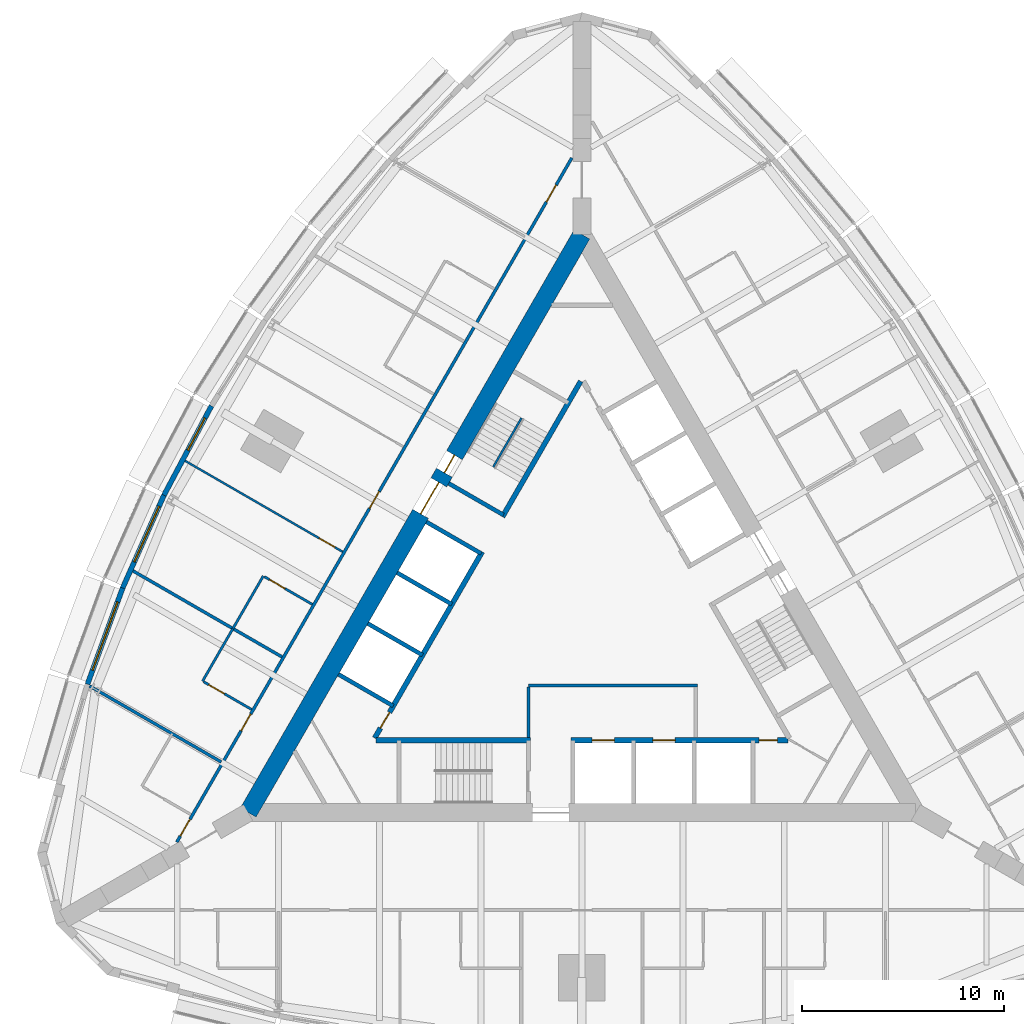
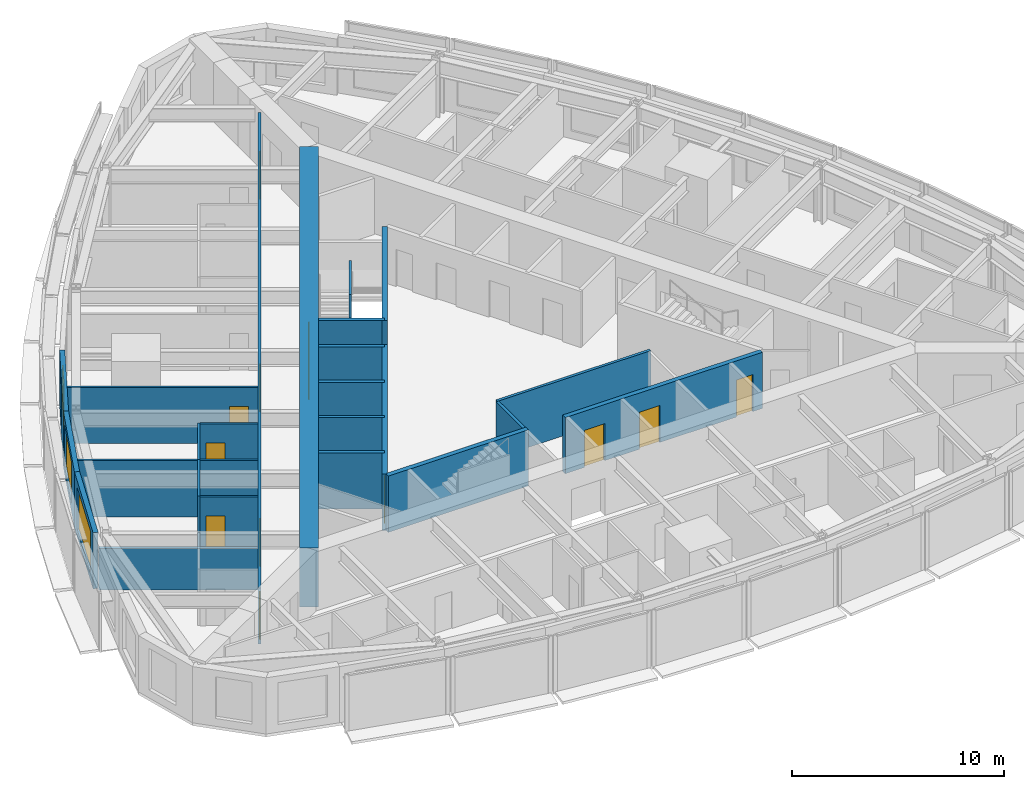
# One storey, part 9 of 14: 24 walls, 13 doors, 3 windows, 16 openings.
"""IFC4 building model written with IfcOpenShell, lengths in metres."""

from ifc_helpers import new_model, si_unit, direction, frame, frame_2d, origin, place, context, subcontext, project, spatial, rectangle, extrude, material, layer, layer_set, type_object, element, fill, save


model = new_model("IFC4")

# Units and contexts
model_context = context("Model", 3, precision=1e-05, world=origin(), true_north=direction((0.0, 1.0)))
body_context = subcontext(model_context, "Body", "Model", "MODEL_VIEW")
ifc_project = project(units=[si_unit("LENGTHUNIT", "METRE"), si_unit("AREAUNIT", "SQUARE_METRE"), si_unit("VOLUMEUNIT", "CUBIC_METRE"), si_unit("PLANEANGLEUNIT", "RADIAN"), si_unit("MASSUNIT", "GRAM", prefix="KILO")], contexts=[model_context])

# Site, building, storey
site_placement = place(None, origin())
site = spatial("IfcSite", under=ifc_project, at=site_placement, CompositionType="ELEMENT")
building_placement = place(site_placement, origin())
building = spatial("IfcBuilding", under=site, at=building_placement, Name="Trikona Tower", CompositionType="ELEMENT")
storey_placement = place(building_placement, frame((0.0, 0.0, 169.10009765625)))
storey = spatial("IfcBuildingStorey", under=building, at=storey_placement, Name="L45", CompositionType="ELEMENT", Elevation=169.10009765625)

# Wall
ifc_material_1 = material(Name="Metal stud and cement board", Category="gypsum")
ifc_layer_1 = layer(ifc_material_1, 0.1201171875)
ifc_layer_set_1 = layer_set([ifc_layer_1], Name="Bathroom wall 120")
wall_type_1 = type_object("IfcWallType", Name="Bathroom wall 120", PredefinedType="PLUMBINGWALL", material=ifc_layer_set_1)
wall_1_placement = place(storey_placement, frame((-15.75341796875, 2.1669921875, 0.0), z_axis=(0.0, 0.0, 1.0), x_axis=(-0.499990139034, -0.866031096941, 0.0)))
element("IfcWall", 1, at=wall_1_placement, inside=storey, type_object=wall_type_1, Name="Bathroom wall 4511.2", PredefinedType="PLUMBINGWALL", context=body_context, shape_type="SweptSolid", body=[
    extrude(rectangle(XDim=3.0, YDim=0.1201171875, at=frame_2d((1.5, 0.0))), origin(), (0.0, 0.0, 1.0), 3.23486328125),
])

# Wall, opening, door
wall_2_placement = place(storey_placement, frame((-13.32861328125, 0.76708984375, 0.0), z_axis=(0.0, 0.0, 1.0), x_axis=(-0.866035715982, 0.499982138324, 0.0)))
wall_2 = element("IfcWall", 2, at=wall_2_placement, inside=storey, type_object=wall_type_1, Name="Bathroom wall 4511.2", PredefinedType="PLUMBINGWALL", context=body_context, shape_type="SweptSolid", body=[
    extrude(rectangle(XDim=2.73974609375, YDim=0.1201171875, at=frame_2d((1.369873046875, 0.0))), origin(), (0.0, 0.0, 1.0), 3.23486328125),
])
opening_1_placement = place(wall_2_placement, frame((1.550048828125, 0.0, 0.0)))
opening_1 = element("IfcOpeningElement", 3, at=opening_1_placement, cuts=wall_2, Name="Opening D2", PredefinedType="OPENING", context=body_context, shape_type="SweptSolid", body=[
    extrude(rectangle(XDim=0.89990234375, YDim=2.1298828125, at=frame_2d((0.449951171875, 1.06494140625))), frame((0.0, 0.070068359375, 0.0), z_axis=(0.0, -1.0, 0.0), x_axis=(1.0, 0.0, 0.0)), (0.0, 0.0, 1.0), 0.14013671875),
])
ifc_material_2 = material(Name="Steel door frame with solid-core timber leaf", Category="steel")
door_type_1 = type_object("IfcDoorType", Name="Bathroom door 900x2130", OperationType="SLIDING_TO_LEFT", PredefinedType="DOOR", material=ifc_material_2)
door_1_placement = place(opening_1_placement, origin())
door_1 = element("IfcDoor", 4, at=door_1_placement, inside=storey, type_object=door_type_1, Name="Bathroom door 4511.2", OperationType="SLIDING_TO_LEFT", OverallHeight=2.1298828125, OverallWidth=0.89990234375, PredefinedType="DOOR", context=body_context, shape_type="SweptSolid", body=[
    extrude(rectangle(XDim=0.89990234375, YDim=2.1298828125, at=frame_2d((0.449951171875, 1.06494140625))), frame((0.0, 0.02490234375, 0.0), z_axis=(0.0, -1.0, 0.0), x_axis=(1.0, 0.0, 0.0)), (0.0, 0.0, 1.0), 0.050048828125),
])
fill(opening_1, door_1)

# Wall
wall_3_placement = place(storey_placement, frame((-17.25341796875, -0.43115234375, 0.0), z_axis=(0.0, 0.0, 1.0), x_axis=(-0.499990139034, -0.866031096941, 0.0)))
element("IfcWall", 5, at=wall_3_placement, inside=storey, type_object=wall_type_1, Name="Bathroom wall 4512", PredefinedType="PLUMBINGWALL", context=body_context, shape_type="SweptSolid", body=[
    extrude(rectangle(XDim=3.0, YDim=0.1201171875, at=frame_2d((1.5, 0.0))), origin(), (0.0, 0.0, 1.0), 3.23486328125),
])

# Wall, opening, door
wall_4_placement = place(storey_placement, frame((-16.32861328125, -4.42919921875, 0.0), z_axis=(0.0, 0.0, 1.0), x_axis=(-0.865997131366, 0.500048966069, 0.0)))
wall_4 = element("IfcWall", 6, at=wall_4_placement, inside=storey, type_object=wall_type_1, Name="Bathroom wall 4512", PredefinedType="PLUMBINGWALL", context=body_context, shape_type="SweptSolid", body=[
    extrude(rectangle(XDim=2.739990234375, YDim=0.1201171875, at=frame_2d((1.3701171875, 0.0))), origin(), (0.0, 0.0, 1.0), 3.23486328125),
])
opening_2_placement = place(wall_4_placement, frame((1.550048828125, 0.0, 0.0)))
opening_2 = element("IfcOpeningElement", 7, at=opening_2_placement, cuts=wall_4, Name="Opening D2", PredefinedType="OPENING", context=body_context, shape_type="SweptSolid", body=[
    extrude(rectangle(XDim=0.89990234375, YDim=2.1298828125, at=frame_2d((0.449951171875, 1.06494140625))), frame((0.0, 0.070068359375, 0.0), z_axis=(0.0, -1.0, 0.0), x_axis=(1.0, 0.0, 0.0)), (0.0, 0.0, 1.0), 0.14013671875),
])
door_2_placement = place(opening_2_placement, origin())
door_2 = element("IfcDoor", 8, at=door_2_placement, inside=storey, type_object=door_type_1, Name="Bathroom door 4512", OperationType="SLIDING_TO_LEFT", OverallHeight=2.1298828125, OverallWidth=0.89990234375, PredefinedType="DOOR", context=body_context, shape_type="SweptSolid", body=[
    extrude(rectangle(XDim=0.89990234375, YDim=2.1298828125, at=frame_2d((0.449951171875, 1.06494140625))), frame((0.0, 0.02490234375, 0.0), z_axis=(0.0, -1.0, 0.0), x_axis=(1.0, 0.0, 0.0)), (0.0, 0.0, 1.0), 0.050048828125),
])
fill(opening_2, door_2)

# Wall, openings, doors
ifc_material_3 = material(Name="Concrete f'c 10000 psi", Category="concrete")
ifc_layer_2 = layer(ifc_material_3, 0.89990234375)
ifc_layer_set_2 = layer_set([ifc_layer_2], Name="Core wall 900")
wall_type_2 = type_object("IfcWallType", Name="Core wall 900", PredefinedType="SHEAR", material=ifc_layer_set_2)
wall_5_placement = place(storey_placement, frame((0.0, 19.052490234375, 0.0), z_axis=(0.0, 0.0, 1.0), x_axis=(-0.499999749417, -0.866025548458, 0.0)))
wall_5 = element("IfcWall", 9, at=wall_5_placement, inside=storey, type_object=wall_type_2, Name="Core wall C", PredefinedType="SHEAR", context=body_context, shape_type="SweptSolid", body=[
    extrude(rectangle(XDim=33.0, YDim=0.89990234375, at=frame_2d((16.5, 0.0))), origin(), (0.0, 0.0, 1.0), 3.39990234375),
])
opening_3_placement = place(wall_5_placement, frame((14.14990234375, 0.0, 0.0)))
opening_3 = element("IfcOpeningElement", 10, at=opening_3_placement, cuts=wall_5, Name="Opening D6", PredefinedType="OPENING", context=body_context, shape_type="SweptSolid", body=[
    extrude(rectangle(XDim=1.800048828125, YDim=2.1298828125, at=frame_2d((0.89990234375, 1.06494140625))), frame((0.0, 0.4599609375, 0.0), z_axis=(0.0, -1.0, 0.0), x_axis=(1.0, 0.0, 0.0)), (0.0, 0.0, 1.0), 0.919921875),
])
opening_4_placement = place(wall_5_placement, frame((12.60009765625, 0.0, 0.0)))
opening_4 = element("IfcOpeningElement", 11, at=opening_4_placement, cuts=wall_5, Name="Opening D5", PredefinedType="OPENING", context=body_context, shape_type="SweptSolid", body=[
    extrude(rectangle(XDim=1.0, YDim=2.1298828125, at=frame_2d((0.5, 1.06494140625))), frame((0.0, 0.4599609375, 0.0), z_axis=(0.0, -1.0, 0.0), x_axis=(1.0, 0.0, 0.0)), (0.0, 0.0, 1.0), 0.919921875),
])
ifc_material_4 = material(Name="Hollow metal door and frame", Category="steel")
door_type_2 = type_object("IfcDoorType", Name="Lobby door pair 1800x2130", OperationType="DOUBLE_DOOR_SINGLE_SWING", PredefinedType="DOOR", material=ifc_material_4)
door_3_placement = place(opening_3_placement, origin())
door_3 = element("IfcDoor", 12, at=door_3_placement, inside=storey, type_object=door_type_2, Name="Lift lobby door C", OperationType="DOUBLE_DOOR_SINGLE_SWING", OverallHeight=2.1298828125, OverallWidth=1.800048828125, PredefinedType="DOOR", context=body_context, shape_type="SweptSolid", body=[
    extrude(rectangle(XDim=1.800048828125, YDim=2.1298828125, at=frame_2d((0.89990234375, 1.06494140625))), frame((0.0, 0.02490234375, 0.0), z_axis=(0.0, -1.0, 0.0), x_axis=(1.0, 0.0, 0.0)), (0.0, 0.0, 1.0), 0.050048828125),
])
fill(opening_3, door_3)
ifc_material_5 = material(Name="Hollow metal door and frame", Category="steel")
door_type_3 = type_object("IfcDoorType", Name="Stair door 1000x2130", OperationType="SINGLE_SWING_LEFT", PredefinedType="DOOR", material=ifc_material_5)
door_4_placement = place(opening_4_placement, origin())
door_4 = element("IfcDoor", 13, at=door_4_placement, inside=storey, type_object=door_type_3, Name="Stair C door", OperationType="SINGLE_SWING_RIGHT", OverallHeight=2.1298828125, OverallWidth=1.0, PredefinedType="DOOR", context=body_context, shape_type="SweptSolid", body=[
    extrude(rectangle(XDim=1.0, YDim=2.1298828125, at=frame_2d((0.5, 1.06494140625))), frame((0.0, 0.02490234375, 0.0), z_axis=(0.0, -1.0, 0.0), x_axis=(1.0, 0.0, 0.0)), (0.0, 0.0, 1.0), 0.050048828125),
])
fill(opening_4, door_4)

ifc_material_6 = material(Name="Metal stud and gypsum board, 1-hour", Category="gypsum")
ifc_layer_3 = layer(ifc_material_6, 0.14990234375)
ifc_layer_set_3 = layer_set([ifc_layer_3], Name="Corridor wall 150")
wall_type_3 = type_object("IfcWallType", Name="Corridor wall 150", PredefinedType="PARTITIONING", material=ifc_layer_set_3)
wall_6_placement = place(storey_placement, frame((-0.5, 22.83642578125, 0.0), z_axis=(0.0, 0.0, 1.0), x_axis=(-0.500001677587, -0.866024435227, 0.0)))
wall_6 = element("IfcWall", 14, at=wall_6_placement, inside=storey, type_object=wall_type_3, Name="Corridor wall L45-3", PredefinedType="PARTITIONING", context=body_context, shape_type="SweptSolid", body=[
    extrude(rectangle(XDim=39.053955078125, YDim=0.14990234375, at=frame_2d((19.52685546875, 0.0))), origin(), (0.0, 0.0, 1.0), 3.23486328125),
])
opening_5_placement = place(wall_6_placement, frame((1.558349609375, 0.0, 0.0)))
opening_5 = element("IfcOpeningElement", 15, at=opening_5_placement, cuts=wall_6, Name="Opening D1", PredefinedType="OPENING", context=body_context, shape_type="SweptSolid", body=[
    extrude(rectangle(XDim=0.949951171875, YDim=2.1298828125, at=frame_2d((0.47509765625, 1.06494140625))), frame((0.0, 0.0849609375, 0.0), z_axis=(0.0, -1.0, 0.0), x_axis=(1.0, 0.0, 0.0)), (0.0, 0.0, 1.0), 0.169921875),
])
opening_6_placement = place(wall_6_placement, frame((19.052001953125, 0.0, 0.0)))
opening_6 = element("IfcOpeningElement", 16, at=opening_6_placement, cuts=wall_6, Name="Opening D1", PredefinedType="OPENING", context=body_context, shape_type="SweptSolid", body=[
    extrude(rectangle(XDim=0.949951171875, YDim=2.1298828125, at=frame_2d((0.47509765625, 1.06494140625))), frame((0.0, 0.0849609375, 0.0), z_axis=(0.0, -1.0, 0.0), x_axis=(1.0, 0.0, 0.0)), (0.0, 0.0, 1.0), 0.169921875),
])
opening_7_placement = place(wall_6_placement, frame((31.751953125, 0.0, 0.0)))
opening_7 = element("IfcOpeningElement", 17, at=opening_7_placement, cuts=wall_6, Name="Opening D1", PredefinedType="OPENING", context=body_context, shape_type="SweptSolid", body=[
    extrude(rectangle(XDim=0.949951171875, YDim=2.1298828125, at=frame_2d((0.47509765625, 1.06494140625))), frame((0.0, 0.0849609375, 0.0), z_axis=(0.0, -1.0, 0.0), x_axis=(1.0, 0.0, 0.0)), (0.0, 0.0, 1.0), 0.169921875),
])
opening_8_placement = place(wall_6_placement, frame((37.751953125, 0.0, 0.0)))
opening_8 = element("IfcOpeningElement", 18, at=opening_8_placement, cuts=wall_6, Name="Opening D1", PredefinedType="OPENING", context=body_context, shape_type="SweptSolid", body=[
    extrude(rectangle(XDim=0.949951171875, YDim=2.1298828125, at=frame_2d((0.47509765625, 1.06494140625))), frame((0.0, 0.0849609375, 0.0), z_axis=(0.0, -1.0, 0.0), x_axis=(1.0, 0.0, 0.0)), (0.0, 0.0, 1.0), 0.169921875),
])
ifc_material_7 = material(Name="Steel door frame with solid-core timber leaf", Category="steel")
door_type_4 = type_object("IfcDoorType", Name="Guest room door 950x2130", OperationType="SINGLE_SWING_LEFT", PredefinedType="DOOR", material=ifc_material_7)
door_5_placement = place(opening_5_placement, origin())
door_5 = element("IfcDoor", 19, at=door_5_placement, inside=storey, type_object=door_type_4, Name="Room door 4510", OperationType="SINGLE_SWING_LEFT", OverallHeight=2.1298828125, OverallWidth=0.949951171875, PredefinedType="DOOR", context=body_context, shape_type="SweptSolid", body=[
    extrude(rectangle(XDim=0.949951171875, YDim=2.1298828125, at=frame_2d((0.47509765625, 1.06494140625))), frame((0.0, 0.02490234375, 0.0), z_axis=(0.0, -1.0, 0.0), x_axis=(1.0, 0.0, 0.0)), (0.0, 0.0, 1.0), 0.050048828125),
])
fill(opening_5, door_5)
door_6_placement = place(opening_6_placement, origin())
door_6 = element("IfcDoor", 20, at=door_6_placement, inside=storey, type_object=door_type_4, Name="Room door 4511", OperationType="SINGLE_SWING_RIGHT", OverallHeight=2.1298828125, OverallWidth=0.949951171875, PredefinedType="DOOR", context=body_context, shape_type="SweptSolid", body=[
    extrude(rectangle(XDim=0.949951171875, YDim=2.1298828125, at=frame_2d((0.47509765625, 1.06494140625))), frame((0.0, 0.02490234375, 0.0), z_axis=(0.0, -1.0, 0.0), x_axis=(1.0, 0.0, 0.0)), (0.0, 0.0, 1.0), 0.050048828125),
])
fill(opening_6, door_6)
door_7_placement = place(opening_7_placement, origin())
door_7 = element("IfcDoor", 21, at=door_7_placement, inside=storey, type_object=door_type_4, Name="Room door 4512", OperationType="SINGLE_SWING_LEFT", OverallHeight=2.1298828125, OverallWidth=0.949951171875, PredefinedType="DOOR", context=body_context, shape_type="SweptSolid", body=[
    extrude(rectangle(XDim=0.949951171875, YDim=2.1298828125, at=frame_2d((0.47509765625, 1.06494140625))), frame((0.0, 0.02490234375, 0.0), z_axis=(0.0, -1.0, 0.0), x_axis=(1.0, 0.0, 0.0)), (0.0, 0.0, 1.0), 0.050048828125),
])
fill(opening_7, door_7)
door_8_placement = place(opening_8_placement, origin())
door_8 = element("IfcDoor", 22, at=door_8_placement, inside=storey, type_object=door_type_4, Name="Room door 4513", OperationType="SINGLE_SWING_RIGHT", OverallHeight=2.1298828125, OverallWidth=0.949951171875, PredefinedType="DOOR", context=body_context, shape_type="SweptSolid", body=[
    extrude(rectangle(XDim=0.949951171875, YDim=2.1298828125, at=frame_2d((0.47509765625, 1.06494140625))), frame((0.0, 0.02490234375, 0.0), z_axis=(0.0, -1.0, 0.0), x_axis=(1.0, 0.0, 0.0)), (0.0, 0.0, 1.0), 0.050048828125),
])
fill(opening_8, door_8)

# Wall
ifc_material_8 = material(Name="Concrete f'c 8000 psi", Category="concrete")
ifc_layer_4 = layer(ifc_material_8, 0.25)
ifc_layer_set_4 = layer_set([ifc_layer_4], Name="Hub wall 250")
wall_type_4 = type_object("IfcWallType", Name="Hub wall 250", PredefinedType="SOLIDWALL", material=ifc_layer_set_4)
wall_7_placement = place(storey_placement, frame((-10.182861328125, -5.951416015625, 0.0), z_axis=(0.0, 0.0, 1.0), x_axis=(1.0, 0.0, 0.0)))
element("IfcWall", 23, at=wall_7_placement, inside=storey, type_object=wall_type_4, Name="Lift lobby wall A1", PredefinedType="SOLIDWALL", context=body_context, shape_type="SweptSolid", body=[
    extrude(rectangle(XDim=7.6328125, YDim=0.25, at=frame_2d((3.81640625, 0.0))), origin(), (0.0, 0.0, 1.0), 3.23486328125),
])

# Wall, openings, doors
wall_8_placement = place(storey_placement, frame((-0.550048828125, -5.951416015625, 0.0), z_axis=(0.0, 0.0, 1.0), x_axis=(1.0, 0.0, 0.0)))
wall_8 = element("IfcWall", 24, at=wall_8_placement, inside=storey, type_object=wall_type_4, Name="Lift lobby wall A2", PredefinedType="SOLIDWALL", context=body_context, shape_type="SweptSolid", body=[
    extrude(rectangle(XDim=10.73291015625, YDim=0.25, at=frame_2d((5.366455078125, 0.0))), origin(), (0.0, 0.0, 1.0), 3.23486328125),
])
opening_9_placement = place(wall_8_placement, frame((9.31396484375, 0.0, 0.0)))
opening_9 = element("IfcOpeningElement", 25, at=opening_9_placement, cuts=wall_8, Name="Opening D14", PredefinedType="OPENING", context=body_context, shape_type="SweptSolid", body=[
    extrude(rectangle(XDim=0.89990234375, YDim=2.1298828125, at=frame_2d((0.449951171875, 1.06494140625))), frame((0.0, 0.135009765625, 0.0), z_axis=(0.0, -1.0, 0.0), x_axis=(1.0, 0.0, 0.0)), (0.0, 0.0, 1.0), 0.27001953125),
])
opening_10_placement = place(wall_8_placement, frame((1.050048828125, 0.0, 0.0)))
opening_10 = element("IfcOpeningElement", 26, at=opening_10_placement, cuts=wall_8, Name="Opening LD", PredefinedType="OPENING", context=body_context, shape_type="SweptSolid", body=[
    extrude(rectangle(XDim=1.10009765625, YDim=2.1298828125, at=frame_2d((0.550048828125, 1.06494140625))), frame((0.0, 0.135009765625, 0.0), z_axis=(0.0, -1.0, 0.0), x_axis=(1.0, 0.0, 0.0)), (0.0, 0.0, 1.0), 0.27001953125),
])
opening_11_placement = place(wall_8_placement, frame((4.050048828125, 0.0, 0.0)))
opening_11 = element("IfcOpeningElement", 27, at=opening_11_placement, cuts=wall_8, Name="Opening LD", PredefinedType="OPENING", context=body_context, shape_type="SweptSolid", body=[
    extrude(rectangle(XDim=1.10009765625, YDim=2.1298828125, at=frame_2d((0.550048828125, 1.06494140625))), frame((0.0, 0.135009765625, 0.0), z_axis=(0.0, -1.0, 0.0), x_axis=(1.0, 0.0, 0.0)), (0.0, 0.0, 1.0), 0.27001953125),
])
ifc_material_9 = material(Name="Stainless steel lift landing door", Category="steel")
door_type_5 = type_object("IfcDoorType", Name="Lift landing door 1100x2130", OperationType="DOUBLE_DOOR_SLIDING", PredefinedType="USERDEFINED", material=ifc_material_9)
door_9_placement = place(opening_10_placement, origin())
door_9 = element("IfcDoor", 28, at=door_9_placement, inside=storey, type_object=door_type_5, Name="Lift landing door FF1", ObjectType="LIFT LANDING DOOR", OperationType="DOUBLE_DOOR_SLIDING", OverallHeight=2.1298828125, OverallWidth=1.10009765625, PredefinedType="USERDEFINED", context=body_context, shape_type="SweptSolid", body=[
    extrude(rectangle(XDim=1.10009765625, YDim=2.1298828125, at=frame_2d((0.550048828125, 1.06494140625))), frame((0.0, 0.02490234375, 0.0), z_axis=(0.0, -1.0, 0.0), x_axis=(1.0, 0.0, 0.0)), (0.0, 0.0, 1.0), 0.050048828125),
])
fill(opening_10, door_9)
door_10_placement = place(opening_11_placement, origin())
door_10 = element("IfcDoor", 29, at=door_10_placement, inside=storey, type_object=door_type_5, Name="Lift landing door FF2", ObjectType="LIFT LANDING DOOR", OperationType="DOUBLE_DOOR_SLIDING", OverallHeight=2.1298828125, OverallWidth=1.10009765625, PredefinedType="USERDEFINED", context=body_context, shape_type="SweptSolid", body=[
    extrude(rectangle(XDim=1.10009765625, YDim=2.1298828125, at=frame_2d((0.550048828125, 1.06494140625))), frame((0.0, 0.02490234375, 0.0), z_axis=(0.0, -1.0, 0.0), x_axis=(1.0, 0.0, 0.0)), (0.0, 0.0, 1.0), 0.050048828125),
])
fill(opening_11, door_10)
ifc_material_10 = material(Name="Hollow metal door and frame", Category="steel")
door_type_6 = type_object("IfcDoorType", Name="Service room door 900x2130", OperationType="SINGLE_SWING_LEFT", PredefinedType="DOOR", material=ifc_material_10)
door_11_placement = place(opening_9_placement, origin())
door_11 = element("IfcDoor", 30, at=door_11_placement, inside=storey, type_object=door_type_6, Name="Door Housekeeping store HKS", OperationType="SINGLE_SWING_RIGHT", OverallHeight=2.1298828125, OverallWidth=0.89990234375, PredefinedType="DOOR", context=body_context, shape_type="SweptSolid", body=[
    extrude(rectangle(XDim=0.89990234375, YDim=2.1298828125, at=frame_2d((0.449951171875, 1.06494140625))), frame((0.0, 0.02490234375, 0.0), z_axis=(0.0, -1.0, 0.0), x_axis=(1.0, 0.0, 0.0)), (0.0, 0.0, 1.0), 0.050048828125),
])
fill(opening_9, door_11)

# Wall
wall_9_placement = place(storey_placement, frame((-0.0625, 11.794189453125, 0.0), z_axis=(0.0, 0.0, 1.0), x_axis=(-0.500006680225, -0.86602154692, 0.0)))
element("IfcWall", 31, at=wall_9_placement, inside=storey, type_object=wall_type_4, Name="Lift lobby wall C1", PredefinedType="SOLIDWALL", context=body_context, shape_type="SweptSolid", body=[
    extrude(rectangle(XDim=7.73291015625, YDim=0.25, at=frame_2d((3.866455078125, 0.0))), origin(), (0.0, 0.0, 1.0), 3.23486328125),
])

# Wall, opening, door
wall_10_placement = place(storey_placement, frame((-4.928955078125, 3.365478515625, 0.0), z_axis=(0.0, 0.0, 1.0), x_axis=(-0.499991433582, -0.866030349552, 0.0)))
wall_10 = element("IfcWall", 32, at=wall_10_placement, inside=storey, type_object=wall_type_4, Name="Lift lobby wall C2", PredefinedType="SOLIDWALL", context=body_context, shape_type="SweptSolid", body=[
    extrude(rectangle(XDim=10.633056640625, YDim=0.25, at=frame_2d((5.31640625, 0.0))), origin(), (0.0, 0.0, 1.0), 3.23486328125),
])
opening_12_placement = place(wall_10_placement, frame((9.1640625, 0.0, 0.0)))
opening_12 = element("IfcOpeningElement", 33, at=opening_12_placement, cuts=wall_10, Name="Opening D14", PredefinedType="OPENING", context=body_context, shape_type="SweptSolid", body=[
    extrude(rectangle(XDim=0.89990234375, YDim=2.1298828125, at=frame_2d((0.449951171875, 1.06494140625))), frame((0.0, 0.135009765625, 0.0), z_axis=(0.0, -1.0, 0.0), x_axis=(1.0, 0.0, 0.0)), (0.0, 0.0, 1.0), 0.27001953125),
])
door_12_placement = place(opening_12_placement, origin())
door_12 = element("IfcDoor", 34, at=door_12_placement, inside=storey, type_object=door_type_6, Name="Door Linen store LIN", OperationType="SINGLE_SWING_RIGHT", OverallHeight=2.1298828125, OverallWidth=0.89990234375, PredefinedType="DOOR", context=body_context, shape_type="SweptSolid", body=[
    extrude(rectangle(XDim=0.89990234375, YDim=2.1298828125, at=frame_2d((0.449951171875, 1.06494140625))), frame((0.0, 0.02490234375, 0.0), z_axis=(0.0, -1.0, 0.0), x_axis=(1.0, 0.0, 0.0)), (0.0, 0.0, 1.0), 0.050048828125),
])
fill(opening_12, door_12)

# Wall, opening, window
ifc_material_11 = material(Name="Insulated precast concrete spandrel panel", Category="concrete")
ifc_layer_5 = layer(ifc_material_11, 0.25)
ifc_layer_set_5 = layer_set([ifc_layer_5], Name="Inner skin wall 250")
wall_type_5 = type_object("IfcWallType", Name="Inner skin wall 250", PredefinedType="STANDARD", material=ifc_layer_set_5)
wall_11_placement = place(storey_placement, frame((-18.314453125, 10.578857421875, 0.0), z_axis=(0.0, 0.0, 1.0), x_axis=(-0.469404966864, -0.882982999317, 0.0)))
wall_11 = element("IfcWall", 35, at=wall_11_placement, inside=storey, type_object=wall_type_5, Name="External wall L45-28", PredefinedType="STANDARD", context=body_context, shape_type="SweptSolid", body=[
    extrude(rectangle(XDim=5.0029296875, YDim=0.25, at=frame_2d((2.50146484375, 0.0))), origin(), (0.0, 0.0, 1.0), 3.23486328125),
])
opening_13_placement = place(wall_11_placement, frame((0.683837890625, 0.0, 0.449951171875)))
opening_13 = element("IfcOpeningElement", 36, at=opening_13_placement, cuts=wall_11, Name="Opening W1824", PredefinedType="OPENING", context=body_context, shape_type="SweptSolid", body=[
    extrude(rectangle(XDim=1.800048828125, YDim=2.39990234375, at=frame_2d((0.89990234375, 1.199951171875))), frame((0.0, 0.135009765625, 0.0), z_axis=(0.0, -1.0, 0.0), x_axis=(1.0, 0.0, 0.0)), (0.0, 0.0, 1.0), 0.27001953125),
])
ifc_material_12 = material(Name="Aluminium-framed double glazing", Category="aluminium")
window_type_1 = type_object("IfcWindowType", Name="Window 1800x2400", PartitioningType="SINGLE_PANEL", PredefinedType="WINDOW", material=ifc_material_12)
window_1_placement = place(opening_13_placement, origin())
window_1 = element("IfcWindow", 37, at=window_1_placement, inside=storey, type_object=window_type_1, Name="Window 4511", OverallHeight=2.39990234375, OverallWidth=1.800048828125, PartitioningType="SINGLE_PANEL", PredefinedType="WINDOW", context=body_context, shape_type="SweptSolid", body=[
    extrude(rectangle(XDim=1.800048828125, YDim=2.39990234375, at=frame_2d((0.89990234375, 1.199951171875))), frame((0.0, 0.030029296875, 0.0), z_axis=(0.0, -1.0, 0.0), x_axis=(1.0, 0.0, 0.0)), (0.0, 0.0, 1.0), 0.06005859375),
])
fill(opening_13, window_1)

wall_12_placement = place(storey_placement, frame((-20.6591796875, 6.169189453125, 0.0), z_axis=(0.0, 0.0, 1.0), x_axis=(-0.406832200364, -0.913502906808, 0.0)))
wall_12 = element("IfcWall", 38, at=wall_12_placement, inside=storey, type_object=wall_type_5, Name="External wall L45-29", PredefinedType="STANDARD", context=body_context, shape_type="SweptSolid", body=[
    extrude(rectangle(XDim=5.027587890625, YDim=0.25, at=frame_2d((2.513671875, 0.0))), origin(), (0.0, 0.0, 1.0), 3.23486328125),
])
opening_14_placement = place(wall_12_placement, frame((0.609619140625, 0.0, 0.449951171875)))
opening_14 = element("IfcOpeningElement", 39, at=opening_14_placement, cuts=wall_12, Name="Opening W3024", PredefinedType="OPENING", context=body_context, shape_type="SweptSolid", body=[
    extrude(rectangle(XDim=3.0, YDim=2.39990234375, at=frame_2d((1.5, 1.199951171875))), frame((0.0, 0.135009765625, 0.0), z_axis=(0.0, -1.0, 0.0), x_axis=(1.0, 0.0, 0.0)), (0.0, 0.0, 1.0), 0.27001953125),
])
ifc_material_13 = material(Name="Aluminium-framed double glazing", Category="aluminium")
window_type_2 = type_object("IfcWindowType", Name="Window 3000x2400", PartitioningType="SINGLE_PANEL", PredefinedType="WINDOW", material=ifc_material_13)
window_2_placement = place(opening_14_placement, origin())
window_2 = element("IfcWindow", 40, at=window_2_placement, inside=storey, type_object=window_type_2, Name="Window 4511.2", OverallHeight=2.39990234375, OverallWidth=3.0, PartitioningType="SINGLE_PANEL", PredefinedType="WINDOW", context=body_context, shape_type="SweptSolid", body=[
    extrude(rectangle(XDim=3.0, YDim=2.39990234375, at=frame_2d((1.5, 1.199951171875))), frame((0.0, 0.030029296875, 0.0), z_axis=(0.0, -1.0, 0.0), x_axis=(1.0, 0.0, 0.0)), (0.0, 0.0, 1.0), 0.06005859375),
])
fill(opening_14, window_2)

wall_13_placement = place(storey_placement, frame((-22.701416015625, 1.58447265625, 0.0), z_axis=(0.0, 0.0, 1.0), x_axis=(-0.343225593282, -0.939252996863, 0.0)))
wall_13 = element("IfcWall", 41, at=wall_13_placement, inside=storey, type_object=wall_type_5, Name="External wall L45-30", PredefinedType="STANDARD", context=body_context, shape_type="SweptSolid", body=[
    extrude(rectangle(XDim=5.075927734375, YDim=0.25, at=frame_2d((2.5380859375, 0.0))), origin(), (0.0, 0.0, 1.0), 3.23486328125),
])
opening_15_placement = place(wall_13_placement, frame((0.738037109375, 0.0, 0.449951171875)))
opening_15 = element("IfcOpeningElement", 42, at=opening_15_placement, cuts=wall_13, Name="Opening W3624", PredefinedType="OPENING", context=body_context, shape_type="SweptSolid", body=[
    extrude(rectangle(XDim=3.60009765625, YDim=2.39990234375, at=frame_2d((1.800048828125, 1.199951171875))), frame((0.0, 0.135009765625, 0.0), z_axis=(0.0, -1.0, 0.0), x_axis=(1.0, 0.0, 0.0)), (0.0, 0.0, 1.0), 0.27001953125),
])
ifc_material_14 = material(Name="Aluminium-framed double glazing", Category="aluminium")
window_type_3 = type_object("IfcWindowType", Name="Window 3600x2400", PartitioningType="SINGLE_PANEL", PredefinedType="WINDOW", material=ifc_material_14)
window_3_placement = place(opening_15_placement, origin())
window_3 = element("IfcWindow", 43, at=window_3_placement, inside=storey, type_object=window_type_3, Name="Window 4512", OverallHeight=2.39990234375, OverallWidth=3.60009765625, PartitioningType="SINGLE_PANEL", PredefinedType="WINDOW", context=body_context, shape_type="SweptSolid", body=[
    extrude(rectangle(XDim=3.60009765625, YDim=2.39990234375, at=frame_2d((1.800048828125, 1.199951171875))), frame((0.0, 0.030029296875, 0.0), z_axis=(0.0, -1.0, 0.0), x_axis=(1.0, 0.0, 0.0)), (0.0, 0.0, 1.0), 0.06005859375),
])
fill(opening_15, window_3)

# Walls
ifc_material_15 = material(Name="Metal stud and gypsum board, 2-hour shaft wall", Category="gypsum")
ifc_layer_6 = layer(ifc_material_15, 0.14990234375)
ifc_layer_set_6 = layer_set([ifc_layer_6], Name="Lobby wall 150")
wall_type_6 = type_object("IfcWallType", Name="Lobby wall 150", PredefinedType="PARTITIONING", material=ifc_layer_set_6)
wall_14_placement = place(storey_placement, frame((-2.64990234375, -3.251220703125, 0.0), z_axis=(0.0, 0.0, 1.0), x_axis=(1.0, 0.0, 0.0)))
element("IfcWall", 44, at=wall_14_placement, inside=storey, type_object=wall_type_6, Name="Fire service lift lobby wall 1", PredefinedType="PARTITIONING", context=body_context, shape_type="SweptSolid", body=[
    extrude(rectangle(XDim=8.349853515625, YDim=0.14990234375, at=frame_2d((4.1748046875, 0.0))), origin(), (0.0, 0.0, 1.0), 3.23486328125),
])
wall_15_placement = place(storey_placement, frame((-2.64990234375, -5.826416015625, 0.0), z_axis=(0.0, 0.0, 1.0), x_axis=(0.0, 1.0, 0.0)))
element("IfcWall", 45, at=wall_15_placement, inside=storey, type_object=wall_type_6, Name="Fire service lift lobby wall 2", PredefinedType="PARTITIONING", context=body_context, shape_type="SweptSolid", body=[
    extrude(rectangle(XDim=2.5, YDim=0.14990234375, at=frame_2d((1.25, 0.0))), origin(), (0.0, 0.0, 1.0), 3.23486328125),
])
ifc_material_16 = material(Name="Metal stud and gypsum board, 1-hour acoustic", Category="gypsum")
ifc_layer_7 = layer(ifc_material_16, 0.14990234375)
ifc_layer_set_7 = layer_set([ifc_layer_7], Name="Party wall 150")
wall_type_7 = type_object("IfcWallType", Name="Party wall 150", PredefinedType="PARTITIONING", material=ifc_layer_set_7)
wall_16_placement = place(storey_placement, frame((-14.82861328125, -1.8310546875, 0.0), z_axis=(0.0, 0.0, 1.0), x_axis=(-0.866023962952, 0.500002495586, 0.0)))
element("IfcWall", 46, at=wall_16_placement, inside=storey, type_object=wall_type_7, Name="Partition L45 F3 u9", PredefinedType="PARTITIONING", context=body_context, shape_type="SweptSolid", body=[
    extrude(rectangle(XDim=8.50244140625, YDim=0.14990234375, at=frame_2d((4.251220703125, 0.0))), origin(), (0.0, 0.0, 1.0), 3.23486328125),
])
wall_17_placement = place(storey_placement, frame((-17.82861328125, -7.027099609375, 0.0), z_axis=(0.0, 0.0, 1.0), x_axis=(-0.866029804378, 0.499992377871, 0.0)))
element("IfcWall", 47, at=wall_17_placement, inside=storey, type_object=wall_type_7, Name="Partition L45 F3 u15", PredefinedType="PARTITIONING", context=body_context, shape_type="SweptSolid", body=[
    extrude(rectangle(XDim=7.51611328125, YDim=0.14990234375, at=frame_2d((3.758056640625, 0.0))), origin(), (0.0, 0.0, 1.0), 2.38916015625),
])
ifc_material_17 = material(Name="Concrete f'c 8000 psi", Category="concrete")
ifc_layer_8 = layer(ifc_material_17, 0.199951171875)
ifc_layer_set_8 = layer_set([ifc_layer_8], Name="Shaft wall 200")
wall_type_8 = type_object("IfcWallType", Name="Shaft wall 200", PredefinedType="SOLIDWALL", material=ifc_layer_set_8)
for number, where, z_axis, x_axis, name in (
    (48, (-4.97900390625, 3.27880859375, 0.0), (0.0, 0.0, 1.0), (-0.866022959057, 0.500004234368, 0.0), "Shaft wall C3"),
    (49, (-6.428955078125, 0.767333984375, 0.0), (0.0, 0.0, 1.0), (-0.866022959057, 0.500004234368, 0.0), "Shaft wall C4"),
    (50, (-7.87890625, -1.744140625, 0.0), (0.0, 0.0, 1.0), (-0.866022959057, 0.500004234368, 0.0), "Shaft wall C5"),
    (51, (-9.3291015625, -4.255615234375, 0.0), (0.0, 0.0, 1.0), (-0.866022959057, 0.500004234368, 0.0), "Shaft wall C6"),
):
    element("IfcWall", number, at=place(storey_placement, frame(where, z_axis=z_axis, x_axis=x_axis)), inside=storey, type_object=wall_type_8, Name=name, PredefinedType="SOLIDWALL", context=body_context, shape_type="SweptSolid", body=[
        extrude(rectangle(XDim=3.125, YDim=0.199951171875, at=frame_2d((1.5625, 0.0))), origin(), (0.0, 0.0, 1.0), 3.23486328125),
    ])
ifc_material_18 = material(Name="Concrete f'c 8000 psi", Category="concrete")
ifc_layer_9 = layer(ifc_material_18, 0.199951171875)
ifc_layer_set_9 = layer_set([ifc_layer_9], Name="Shaft wall 200 load-bearing")
wall_type_9 = type_object("IfcWallType", Name="Shaft wall 200 load-bearing", PredefinedType="SOLIDWALL", material=ifc_layer_set_9)
wall_18_placement = place(storey_placement, frame((-3.87890625, 5.18408203125, 0.0), z_axis=(0.0, 0.0, 1.0), x_axis=(-0.866022959057, 0.500004234368, 0.0)))
element("IfcWall", 52, at=wall_18_placement, inside=storey, type_object=wall_type_9, Name="Shaft wall C2", PredefinedType="SOLIDWALL", context=body_context, shape_type="SweptSolid", body=[
    extrude(rectangle(XDim=3.125, YDim=0.199951171875, at=frame_2d((1.5625, 0.0))), origin(), (0.0, 0.0, 1.0), 3.23486328125),
])
ifc_material_19 = material(Name="Concrete f'c 5000 psi", Category="concrete")
ifc_layer_10 = layer(ifc_material_19, 0.10009765625)
ifc_layer_set_10 = layer_set([ifc_layer_10], Name="Stair spine wall 100")
wall_type_10 = type_object("IfcWallType", Name="Stair spine wall 100", PredefinedType="SOLIDWALL", material=ifc_layer_set_10)
wall_19_placement = place(storey_placement, frame((-2.98779296875, 9.9775390625, 0.0), z_axis=(0.0, 0.0, 1.0), x_axis=(-0.499992232847, -0.866029888106, 0.0)))
element("IfcWall", 53, at=wall_19_placement, inside=storey, type_object=wall_type_10, Name="Stair C spine wall L45", PredefinedType="SOLIDWALL", context=body_context, shape_type="SweptSolid", body=[
    extrude(rectangle(XDim=2.7939453125, YDim=0.10009765625, at=frame_2d((1.39697265625, 0.0))), origin(), (0.0, 0.0, 1.0), 3.39990234375),
])

# Wall, opening, door
ifc_material_20 = material(Name="Metal stud and gypsum board, acoustic", Category="gypsum")
ifc_layer_11 = layer(ifc_material_20, 0.10009765625)
ifc_layer_set_11 = layer_set([ifc_layer_11], Name="Suite partition 100")
wall_type_11 = type_object("IfcWallType", Name="Suite partition 100", PredefinedType="PARTITIONING", material=ifc_layer_set_11)
wall_20_placement = place(storey_placement, frame((-11.82861328125, 3.364990234375, 0.0), z_axis=(0.0, 0.0, 1.0), x_axis=(-0.866009279501, 0.500027927039, 0.0)))
wall_20 = element("IfcWall", 54, at=wall_20_placement, inside=storey, type_object=wall_type_11, Name="Suite partition L45 F3 u3", PredefinedType="PARTITIONING", context=body_context, shape_type="SweptSolid", body=[
    extrude(rectangle(XDim=8.99365234375, YDim=0.10009765625, at=frame_2d((4.496826171875, 0.0))), origin(), (0.0, 0.0, 1.0), 3.23486328125),
])
opening_16_placement = place(wall_20_placement, frame((0.449951171875, 0.0, 0.0)))
opening_16 = element("IfcOpeningElement", 55, at=opening_16_placement, cuts=wall_20, Name="Opening D13", PredefinedType="OPENING", context=body_context, shape_type="SweptSolid", body=[
    extrude(rectangle(XDim=0.89990234375, YDim=2.1298828125, at=frame_2d((0.449951171875, 1.06494140625))), frame((0.0, 0.06005859375, 0.0), z_axis=(0.0, -1.0, 0.0), x_axis=(1.0, 0.0, 0.0)), (0.0, 0.0, 1.0), 0.1201171875),
])
ifc_material_21 = material(Name="Steel door frame with solid-core timber leaf", Category="steel")
door_type_7 = type_object("IfcDoorType", Name="Suite door 900x2130", OperationType="SINGLE_SWING_LEFT", PredefinedType="DOOR", material=ifc_material_21)
door_13_placement = place(opening_16_placement, origin())
door_13 = element("IfcDoor", 56, at=door_13_placement, inside=storey, type_object=door_type_7, Name="Suite door 4511", OperationType="SINGLE_SWING_LEFT", OverallHeight=2.1298828125, OverallWidth=0.89990234375, PredefinedType="DOOR", context=body_context, shape_type="SweptSolid", body=[
    extrude(rectangle(XDim=0.89990234375, YDim=2.1298828125, at=frame_2d((0.449951171875, 1.06494140625))), frame((0.0, 0.02490234375, 0.0), z_axis=(0.0, -1.0, 0.0), x_axis=(1.0, 0.0, 0.0)), (0.0, 0.0, 1.0), 0.050048828125),
])
fill(opening_16, door_13)

save(model, "model.ifc")
